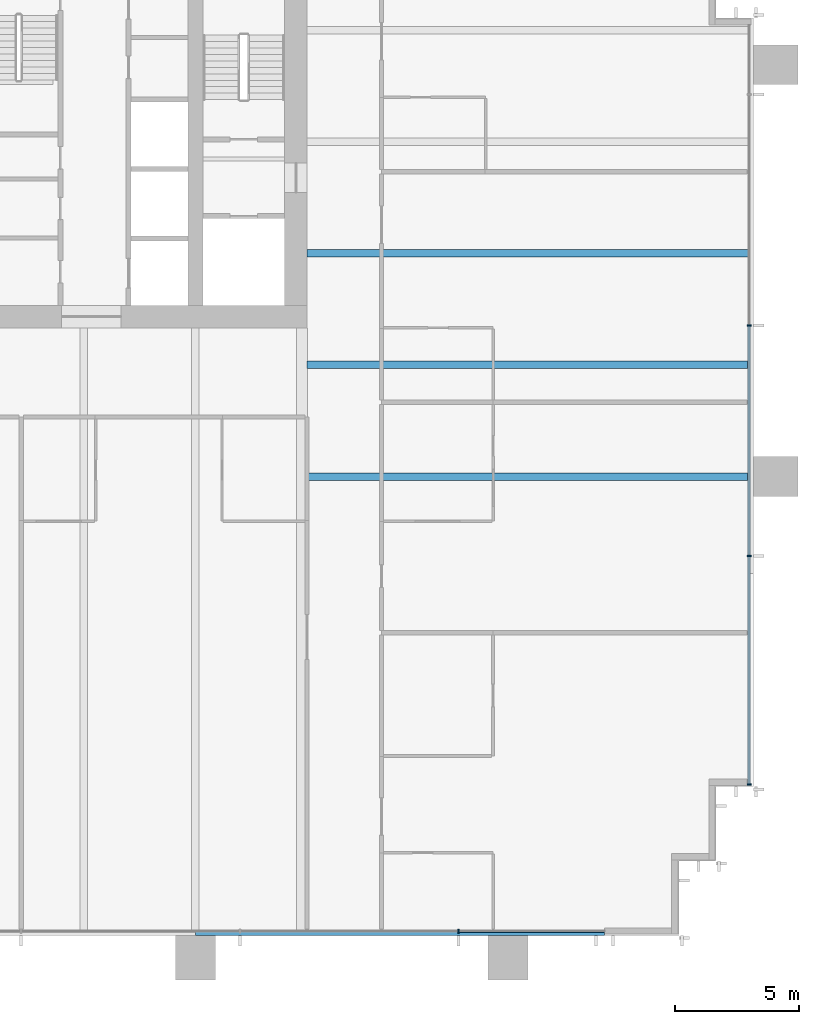
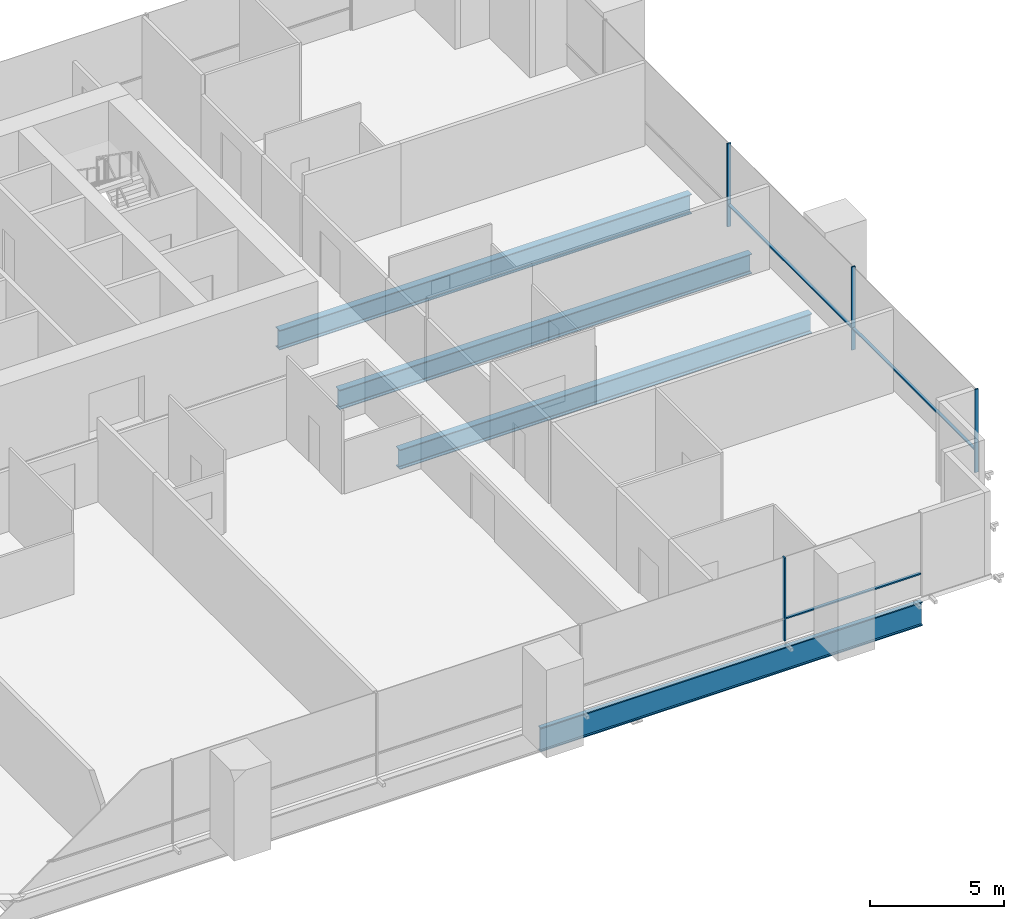
# One storey, part 6 of 17: 7 members, 4 beams, 2 elements without a shape of their own.
"""IFC4 building model written with IfcOpenShell, lengths in metres."""

from ifc_helpers import new_model, si_unit, direction, frame, origin, origin_2d, place, context, subcontext, project, spatial, rectangle, i_section, extrude, material, material_profile, profile_set, type_object, element, aggregate, save


model = new_model("IFC4")

# Units and contexts
model_context = context("Model", 3, precision=1e-05, world=origin(), true_north=direction((0.0, 1.0)))
body_context = subcontext(model_context, "Body", "Model", "MODEL_VIEW")
ifc_project = project(units=[si_unit("LENGTHUNIT", "METRE"), si_unit("AREAUNIT", "SQUARE_METRE"), si_unit("VOLUMEUNIT", "CUBIC_METRE"), si_unit("PLANEANGLEUNIT", "RADIAN"), si_unit("MASSUNIT", "GRAM", prefix="KILO")], contexts=[model_context])

# Site, building, storey
site_placement = place(None, origin())
site = spatial("IfcSite", under=ifc_project, at=site_placement, CompositionType="ELEMENT")
building_placement = place(site_placement, origin())
building = spatial("IfcBuilding", under=site, at=building_placement, Name="Rattan Terrace Tower", CompositionType="ELEMENT")
storey_placement = place(building_placement, frame((0.0, 0.0, 107.699951171875)))
storey = spatial("IfcBuildingStorey", under=building, at=storey_placement, Name="L24", CompositionType="ELEMENT", Elevation=107.699951171875)

# Curtain wall, members
ifc_material_1 = material(Name="Aluminium and glass", Category="aluminium")
curtain_wall_type = type_object("IfcCurtainWallType", Name="Facade Unitised Curtain Wall", PredefinedType="NOTDEFINED", material=ifc_material_1)
curtain_wall_1_placement = place(storey_placement, origin())
curtain_wall_1 = element("IfcCurtainWall", 1, at=curtain_wall_1_placement, inside=storey, type_object=curtain_wall_type, Name="Curtain wall L24-1", PredefinedType="NOTDEFINED")
ifc_material_2 = material(Name="Aluminium", Category="aluminium")
ifc_material_profile_1 = material_profile(ifc_material_2, rectangle(XDim=0.06005859375, YDim=0.159912109375, at=origin_2d()), Name="Aluminium 60x160")
ifc_profile_set_1 = profile_set([ifc_material_profile_1], Name="Aluminium")
member_type_1 = type_object("IfcMemberType", Name="Facade CW Mullion 60x160", PredefinedType="MULLION", material=ifc_profile_set_1)
member_1_placement = place(storey_placement, frame((35.830078125, -25.925048828125, 0.0), z_axis=(0.0, 0.0, 1.0), x_axis=(0.0, 1.0, 0.0)))
member_1 = element("IfcMember", 2, at=member_1_placement, type_object=member_type_1, Name="Mullion cwl-L24-001.1", PredefinedType="MULLION", context=body_context, shape_type="SweptSolid", body=[
    extrude(rectangle(XDim=0.06005859375, YDim=0.159912109375, at=origin_2d()), origin(), (0.0, 0.0, 1.0), 3.800048828125),
])
member_2_placement = place(storey_placement, frame((35.830078125, -16.699951171875, 0.0), z_axis=(0.0, 0.0, 1.0), x_axis=(0.0, 1.0, 0.0)))
member_2 = element("IfcMember", 3, at=member_2_placement, type_object=member_type_1, Name="Mullion cwl-L24-001.2", PredefinedType="MULLION", context=body_context, shape_type="SweptSolid", body=[
    extrude(rectangle(XDim=0.06005859375, YDim=0.159912109375, at=origin_2d()), origin(), (0.0, 0.0, 1.0), 3.800048828125),
])
member_3_placement = place(storey_placement, frame((35.830078125, -7.39990234375, 0.0), z_axis=(0.0, 0.0, 1.0), x_axis=(0.0, 1.0, 0.0)))
member_3 = element("IfcMember", 4, at=member_3_placement, type_object=member_type_1, Name="Mullion cwl-L24-001.3", PredefinedType="MULLION", context=body_context, shape_type="SweptSolid", body=[
    extrude(rectangle(XDim=0.06005859375, YDim=0.159912109375, at=origin_2d()), origin(), (0.0, 0.0, 1.0), 3.800048828125),
])

# Curtain wall, member
curtain_wall_2_placement = place(storey_placement, origin())
curtain_wall_2 = element("IfcCurtainWall", 5, at=curtain_wall_2_placement, inside=storey, type_object=curtain_wall_type, Name="Curtain wall L24-4", PredefinedType="NOTDEFINED")
member_4_placement = place(storey_placement, frame((24.114990234375, -31.830078125, 0.0), z_axis=(0.0, 0.0, 1.0), x_axis=(1.0, 0.0, 0.0)))
member_4 = element("IfcMember", 6, at=member_4_placement, type_object=member_type_1, Name="Mullion cwl-L24-004.6", PredefinedType="MULLION", context=body_context, shape_type="SweptSolid", body=[
    extrude(rectangle(XDim=0.06005859375, YDim=0.159912109375, at=origin_2d()), origin(), (0.0, 0.0, 1.0), 3.800048828125),
])

# Member
ifc_material_3 = material(Name="Aluminium", Category="aluminium")
ifc_material_profile_2 = material_profile(ifc_material_3, rectangle(XDim=0.1201171875, YDim=0.06005859375, at=origin_2d()), Name="Aluminium 120x60")
ifc_profile_set_2 = profile_set([ifc_material_profile_2], Name="Aluminium")
member_type_2 = type_object("IfcMemberType", Name="Facade CW Transom 120x60", PredefinedType="USERDEFINED", material=ifc_profile_set_2)
member_5_placement = place(storey_placement, frame((35.830078125, -25.89501953125, 1.0), z_axis=(0.0, 1.0, 0.0), x_axis=(-1.0, 0.0, 0.0)))
member_5 = element("IfcMember", 7, at=member_5_placement, type_object=member_type_2, Name="Transom cwl-L24-001.1", ObjectType="TRANSOM", PredefinedType="USERDEFINED", context=body_context, shape_type="SweptSolid", body=[
    extrude(rectangle(XDim=0.1201171875, YDim=0.06005859375, at=origin_2d()), origin(), (0.0, 0.0, 1.0), 9.1650390625),
])

member_6_placement = place(storey_placement, frame((35.830078125, -16.669921875, 1.0), z_axis=(0.0, 1.0, 0.0), x_axis=(-1.0, 0.0, 0.0)))
member_6 = element("IfcMember", 8, at=member_6_placement, type_object=member_type_2, Name="Transom cwl-L24-001.2", ObjectType="TRANSOM", PredefinedType="USERDEFINED", context=body_context, shape_type="SweptSolid", body=[
    extrude(rectangle(XDim=0.1201171875, YDim=0.06005859375, at=origin_2d()), origin(), (0.0, 0.0, 1.0), 9.239990234375),
])

aggregate(curtain_wall_1, [member_1, member_2, member_3, member_5, member_6])

member_7_placement = place(storey_placement, frame((24.14501953125, -31.830078125, 1.0), z_axis=(1.0, 0.0, 0.0), x_axis=(0.0, 1.0, 0.0)))
member_7 = element("IfcMember", 9, at=member_7_placement, type_object=member_type_2, Name="Transom cwl-L24-004.6", ObjectType="TRANSOM", PredefinedType="USERDEFINED", context=body_context, shape_type="SweptSolid", body=[
    extrude(rectangle(XDim=0.1201171875, YDim=0.06005859375, at=origin_2d()), origin(), (0.0, 0.0, 1.0), 5.85498046875),
])

aggregate(curtain_wall_2, [member_4, member_7])

# Beams
ifc_material_4 = material(Name="Steel S460", Category="steel")
ifc_material_profile_3 = material_profile(ifc_material_4, i_section(OverallWidth=0.179931640625, OverallDepth=1.10009765625, WebThickness=0.01611328125, FlangeThickness=0.050048828125, at=origin_2d()), Name="PG 1100x180-16-50")
ifc_profile_set_3 = profile_set([ifc_material_profile_3], Name="Steel S460")
beam_type_1 = type_object("IfcBeamType", Name="Frame edge girder PG 1100x180-16-50", PredefinedType="SPANDREL", material=ifc_profile_set_3)
beam_placement = place(storey_placement, frame((30.0, -31.909912109375, -0.75), z_axis=(-1.0, 0.0, 0.0), x_axis=(0.0, -1.0, 0.0)))
element("IfcBeam", 10, at=beam_placement, inside=storey, type_object=beam_type_1, Name="gdr-L24-003", PredefinedType="SPANDREL", context=body_context, shape_type="SweptSolid", body=[
    extrude(i_section(OverallWidth=0.179931640625, OverallDepth=1.10009765625, WebThickness=0.01611328125, FlangeThickness=0.050048828125, at=origin_2d()), origin(), (0.0, 0.0, 1.0), 16.5),
])
ifc_material_5 = material(Name="Steel S355", Category="steel")
ifc_material_profile_4 = material_profile(ifc_material_5, i_section(OverallWidth=0.300048828125, OverallDepth=0.89990234375, WebThickness=0.0185546875, FlangeThickness=0.034912109375, FilletRadius=0.030029296875, at=origin_2d()), Name="HE 900 B")
ifc_profile_set_4 = profile_set([ifc_material_profile_4], Name="Steel S355")
beam_type_2 = type_object("IfcBeamType", Name="Frame floor beam HE 900 B", PredefinedType="JOIST", material=ifc_profile_set_4)
for number, where, z_axis, x_axis, name in (
    (11, (18.0, -13.5, -0.64990234375), (1.0, 0.0, 0.0), (0.0, 1.0, 0.0), "bm-L24-010"),
    (12, (18.0, -9.0, -0.64990234375), (1.0, 0.0, 0.0), (0.0, 1.0, 0.0), "bm-L24-011"),
    (13, (18.0, -4.5, -0.64990234375), (1.0, 0.0, 0.0), (0.0, 1.0, 0.0), "bm-L24-013"),
):
    element("IfcBeam", number, at=place(storey_placement, frame(where, z_axis=z_axis, x_axis=x_axis)), inside=storey, type_object=beam_type_2, Name=name, PredefinedType="JOIST", context=body_context, shape_type="SweptSolid", body=[
        extrude(i_section(OverallWidth=0.300048828125, OverallDepth=0.89990234375, WebThickness=0.0185546875, FlangeThickness=0.034912109375, FilletRadius=0.030029296875, at=origin_2d()), origin(), (0.0, 0.0, 1.0), 17.820068359375),
    ])

save(model, "model.ifc")
